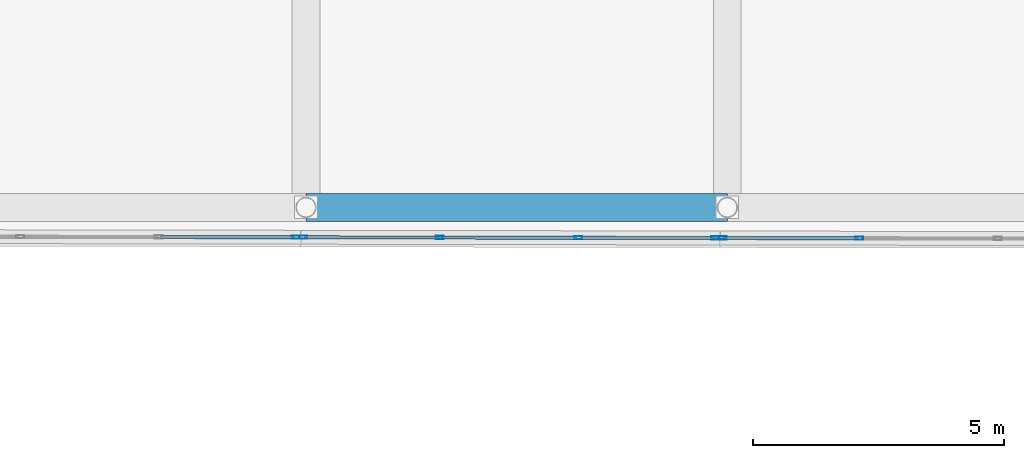
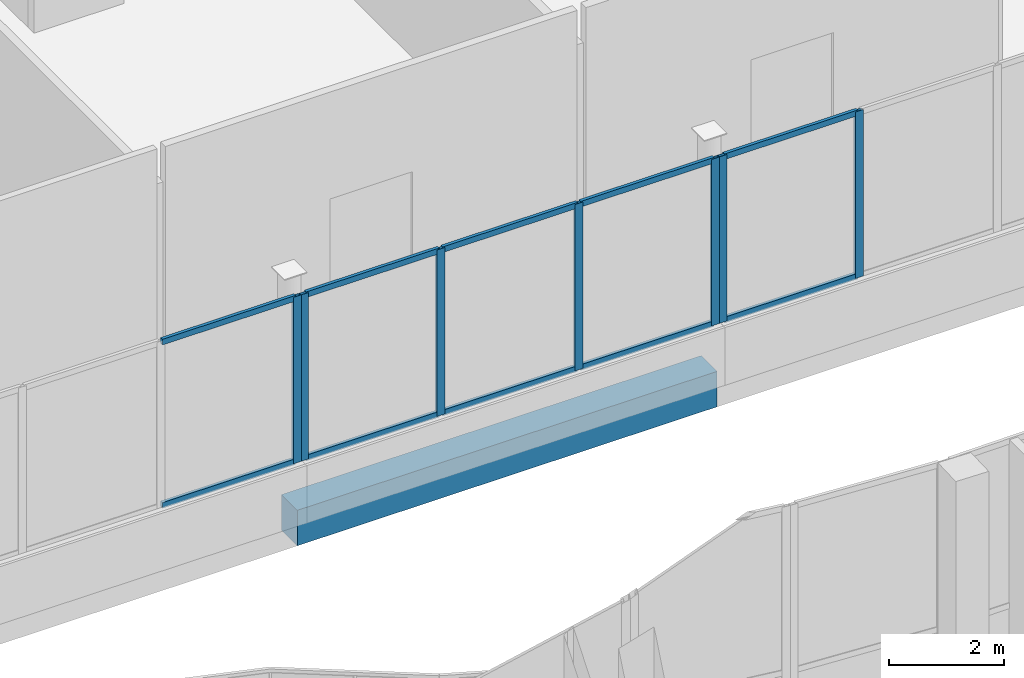
# One storey, part 33 of 155: 17 members, 1 beam, 3 elements without a shape of their own.
"""IFC4 building model written with IfcOpenShell, lengths in metres."""

from ifc_helpers import new_model, si_unit, direction, frame, origin, origin_2d, place, context, subcontext, project, spatial, rectangle, hollow_rectangle, extrude, material, material_profile, profile_set, type_object, element, aggregate, save


model = new_model("IFC4")

# Units and contexts
model_context = context("Model", 3, precision=1e-05, world=origin(), true_north=direction((0.0, 1.0)))
body_context = subcontext(model_context, "Body", "Model", "MODEL_VIEW")
ifc_project = project(units=[si_unit("LENGTHUNIT", "METRE"), si_unit("AREAUNIT", "SQUARE_METRE"), si_unit("VOLUMEUNIT", "CUBIC_METRE"), si_unit("PLANEANGLEUNIT", "RADIAN"), si_unit("MASSUNIT", "GRAM", prefix="KILO")], contexts=[model_context])

# Site, building, storey
site_placement = place(None, origin())
site = spatial("IfcSite", under=ifc_project, at=site_placement, CompositionType="ELEMENT")
building_placement = place(site_placement, origin())
building = spatial("IfcBuilding", under=site, at=building_placement, Name="Selatvlak General Hospital", CompositionType="ELEMENT")
storey_placement = place(building_placement, frame((0.0, 0.0, 10.199951171875)))
storey = spatial("IfcBuildingStorey", under=building, at=storey_placement, Name="L02", CompositionType="ELEMENT", Elevation=10.199951171875)

# Beam
ifc_material_1 = material(Name="Concrete C40/50", Category="concrete")
ifc_material_profile_1 = material_profile(ifc_material_1, rectangle(XDim=0.550048828125, YDim=0.75, at=origin_2d()), Name="RC-BM 550x750")
ifc_profile_set_1 = profile_set([ifc_material_profile_1], Name="Concrete C40/50")
beam_type = type_object("IfcBeamType", Name="BM-G02", PredefinedType="BEAM", material=ifc_profile_set_1)
beam_placement = place(storey_placement, frame((48.0, 52.550048828125, -0.72998046875), z_axis=(1.0, 0.0, 0.0), x_axis=(0.0, 1.0, 0.0)))
element("IfcBeam", 1, at=beam_placement, inside=storey, type_object=beam_type, Name="Beam BMR-L02-0770", PredefinedType="BEAM", context=body_context, shape_type="SweptSolid", body=[
    extrude(rectangle(XDim=0.550048828125, YDim=0.75, at=origin_2d()), origin(), (0.0, 0.0, 1.0), 8.39990234375),
])

# Curtain wall, members
ifc_material_2 = material(Name="Solar-control Low-E double glazing", Category="glass")
curtain_wall_type_1 = type_object("IfcCurtainWallType", Name="CW-CW-02", PredefinedType="USERDEFINED", material=ifc_material_2)
curtain_wall_1_placement = place(storey_placement, origin())
curtain_wall_1 = element("IfcCurtainWall", 2, at=curtain_wall_1_placement, inside=storey, type_object=curtain_wall_type_1, Name="Glazed facade curtain wall CW-L02-0341", ObjectType="UNITISED CURTAIN WALL", PredefinedType="USERDEFINED")
ifc_material_3 = material(Name="Dark anodised aluminium mullion", Category="aluminium")
ifc_material_profile_2 = material_profile(ifc_material_3, hollow_rectangle(XDim=0.06494140625, YDim=0.159912109375, WallThickness=0.00390625, at=origin_2d()), Name="AL-MUL 65x160x4")
ifc_profile_set_2 = profile_set([ifc_material_profile_2], Name="Dark anodised aluminium mullion")
member_type_1 = type_object("IfcMemberType", Name="CWM-01", PredefinedType="MULLION", material=ifc_profile_set_2)
member_1_placement = place(storey_placement, frame((59.03173828125, 51.93505859375, 0.93994140625), z_axis=(0.0, 0.0, 1.0), x_axis=(-0.001811153756, -0.99999835986, 0.0)))
member_1 = element("IfcMember", 3, at=member_1_placement, type_object=member_type_1, Name="CW-02 mullion 3", PredefinedType="MULLION", context=body_context, shape_type="SweptSolid", body=[
    extrude(hollow_rectangle(XDim=0.06494140625, YDim=0.159912109375, WallThickness=0.00390625, at=origin_2d()), origin(), (0.0, 0.0, 1.0), 3.52001953125),
])
member_2_placement = place(storey_placement, frame((56.303466796875, 51.93994140625, 0.93994140625), z_axis=(0.0, 0.0, 1.0), x_axis=(-0.001811153756, -0.99999835986, 0.0)))
member_2 = element("IfcMember", 4, at=member_2_placement, type_object=member_type_1, Name="CW-02 mullion 4", PredefinedType="MULLION", context=body_context, shape_type="SweptSolid", body=[
    extrude(hollow_rectangle(XDim=0.06494140625, YDim=0.159912109375, WallThickness=0.00390625, at=origin_2d()), origin(), (0.0, 0.0, 1.0), 3.52001953125),
])

curtain_wall_type_2 = type_object("IfcCurtainWallType", Name="CW-CW-01", PredefinedType="USERDEFINED", material=ifc_material_2)
curtain_wall_2_placement = place(storey_placement, origin())
curtain_wall_2 = element("IfcCurtainWall", 5, at=curtain_wall_2_placement, inside=storey, type_object=curtain_wall_type_2, Name="Glazed facade curtain wall CW-L02-0342", ObjectType="UNITISED CURTAIN WALL", PredefinedType="USERDEFINED")
member_3_placement = place(storey_placement, frame((56.158447265625, 51.93994140625, 0.93994140625), z_axis=(0.0, 0.0, 1.0), x_axis=(-0.001811372463, -0.999998359464, 0.0)))
member_3 = element("IfcMember", 6, at=member_3_placement, type_object=member_type_1, Name="CW-01 mullion 1", PredefinedType="MULLION", context=body_context, shape_type="SweptSolid", body=[
    extrude(hollow_rectangle(XDim=0.06494140625, YDim=0.159912109375, WallThickness=0.00390625, at=origin_2d()), origin(), (0.0, 0.0, 1.0), 3.52001953125),
])
member_4_placement = place(storey_placement, frame((53.4306640625, 51.945068359375, 0.93994140625), z_axis=(0.0, 0.0, 1.0), x_axis=(-0.001811372463, -0.999998359464, 0.0)))
member_4 = element("IfcMember", 7, at=member_4_placement, type_object=member_type_1, Name="CW-01 mullion 2", PredefinedType="MULLION", context=body_context, shape_type="SweptSolid", body=[
    extrude(hollow_rectangle(XDim=0.06494140625, YDim=0.159912109375, WallThickness=0.00390625, at=origin_2d()), origin(), (0.0, 0.0, 1.0), 3.52001953125),
])
member_5_placement = place(storey_placement, frame((50.67041015625, 51.949951171875, 0.93994140625), z_axis=(0.0, 0.0, 1.0), x_axis=(-0.001811372463, -0.999998359464, 0.0)))
member_5 = element("IfcMember", 8, at=member_5_placement, type_object=member_type_1, Name="CW-01 mullion 3", PredefinedType="MULLION", context=body_context, shape_type="SweptSolid", body=[
    extrude(hollow_rectangle(XDim=0.06494140625, YDim=0.159912109375, WallThickness=0.00390625, at=origin_2d()), origin(), (0.0, 0.0, 1.0), 3.52001953125),
])
member_6_placement = place(storey_placement, frame((47.9423828125, 51.954833984375, 0.93994140625), z_axis=(0.0, 0.0, 1.0), x_axis=(-0.001811372463, -0.999998359464, 0.0)))
member_6 = element("IfcMember", 9, at=member_6_placement, type_object=member_type_1, Name="CW-01 mullion 4", PredefinedType="MULLION", context=body_context, shape_type="SweptSolid", body=[
    extrude(hollow_rectangle(XDim=0.06494140625, YDim=0.159912109375, WallThickness=0.00390625, at=origin_2d()), origin(), (0.0, 0.0, 1.0), 3.52001953125),
])

# Curtain wall, member
curtain_wall_3_placement = place(storey_placement, origin())
curtain_wall_3 = element("IfcCurtainWall", 10, at=curtain_wall_3_placement, inside=storey, type_object=curtain_wall_type_1, Name="Glazed facade curtain wall CW-L02-0343", ObjectType="UNITISED CURTAIN WALL", PredefinedType="USERDEFINED")
member_7_placement = place(storey_placement, frame((47.797607421875, 51.955078125, 0.93994140625), z_axis=(0.0, 0.0, 1.0), x_axis=(-0.001811153756, -0.99999835986, 0.0)))
member_7 = element("IfcMember", 11, at=member_7_placement, type_object=member_type_1, Name="CW-02 mullion 1", PredefinedType="MULLION", context=body_context, shape_type="SweptSolid", body=[
    extrude(hollow_rectangle(XDim=0.06494140625, YDim=0.159912109375, WallThickness=0.00390625, at=origin_2d()), origin(), (0.0, 0.0, 1.0), 3.52001953125),
])

# Member
ifc_material_profile_3 = material_profile(ifc_material_3, hollow_rectangle(XDim=0.06494140625, YDim=0.1201171875, WallThickness=0.00390625, at=origin_2d()), Name="AL-TRN 65x120x4")
ifc_profile_set_3 = profile_set([ifc_material_profile_3], Name="Dark anodised aluminium mullion")
member_type_2 = type_object("IfcMemberType", Name="CWT-01", PredefinedType="USERDEFINED", material=ifc_profile_set_3)
member_8_placement = place(storey_placement, frame((58.999267578125, 51.93505859375, 0.97265625), z_axis=(-0.999998319421, 0.00183334553, 0.0), x_axis=(-0.00183334553, -0.999998319421, 0.0)))
member_8 = element("IfcMember", 12, at=member_8_placement, type_object=member_type_2, Name="CW-02 transom 3.1", ObjectType="TRANSOM", PredefinedType="USERDEFINED", context=body_context, shape_type="SweptSolid", body=[
    extrude(hollow_rectangle(XDim=0.06494140625, YDim=0.1201171875, WallThickness=0.00390625, at=origin_2d()), origin(), (0.0, 0.0, 1.0), 2.663330078125),
])

member_9_placement = place(storey_placement, frame((58.999267578125, 51.93505859375, 4.427490234375), z_axis=(-0.999998319421, 0.00183334553, 0.0), x_axis=(-0.00183334553, -0.999998319421, 0.0)))
member_9 = element("IfcMember", 13, at=member_9_placement, type_object=member_type_2, Name="CW-02 transom 3.2", ObjectType="TRANSOM", PredefinedType="USERDEFINED", context=body_context, shape_type="SweptSolid", body=[
    extrude(hollow_rectangle(XDim=0.06494140625, YDim=0.1201171875, WallThickness=0.00390625, at=origin_2d()), origin(), (0.0, 0.0, 1.0), 2.663330078125),
])

aggregate(curtain_wall_1, [member_1, member_2, member_8, member_9])

member_10_placement = place(storey_placement, frame((56.1259765625, 51.940185546875, 0.97265625), z_axis=(-0.99999848272, 0.001741997907, 0.0), x_axis=(-0.001741997907, -0.99999848272, 0.0)))
member_10 = element("IfcMember", 14, at=member_10_placement, type_object=member_type_2, Name="CW-01 transom 1.1", ObjectType="TRANSOM", PredefinedType="USERDEFINED", context=body_context, shape_type="SweptSolid", body=[
    extrude(hollow_rectangle(XDim=0.06494140625, YDim=0.1201171875, WallThickness=0.00390625, at=origin_2d()), origin(), (0.0, 0.0, 1.0), 2.662841796875),
])

member_11_placement = place(storey_placement, frame((56.1259765625, 51.940185546875, 4.427490234375), z_axis=(-0.99999848272, 0.001741997907, 0.0), x_axis=(-0.001741997907, -0.99999848272, 0.0)))
member_11 = element("IfcMember", 15, at=member_11_placement, type_object=member_type_2, Name="CW-01 transom 1.2", ObjectType="TRANSOM", PredefinedType="USERDEFINED", context=body_context, shape_type="SweptSolid", body=[
    extrude(hollow_rectangle(XDim=0.06494140625, YDim=0.1201171875, WallThickness=0.00390625, at=origin_2d()), origin(), (0.0, 0.0, 1.0), 2.662841796875),
])

member_12_placement = place(storey_placement, frame((53.398193359375, 51.945068359375, 0.97265625), z_axis=(-0.999998359067, 0.00181159123, 0.0), x_axis=(-0.00181159123, -0.999998359067, 0.0)))
member_12 = element("IfcMember", 16, at=member_12_placement, type_object=member_type_2, Name="CW-01 transom 2.1", ObjectType="TRANSOM", PredefinedType="USERDEFINED", context=body_context, shape_type="SweptSolid", body=[
    extrude(hollow_rectangle(XDim=0.06494140625, YDim=0.1201171875, WallThickness=0.00390625, at=origin_2d()), origin(), (0.0, 0.0, 1.0), 2.6953125),
])

member_13_placement = place(storey_placement, frame((53.398193359375, 51.945068359375, 4.427490234375), z_axis=(-0.999998359067, 0.00181159123, 0.0), x_axis=(-0.00181159123, -0.999998359067, 0.0)))
member_13 = element("IfcMember", 17, at=member_13_placement, type_object=member_type_2, Name="CW-01 transom 2.2", ObjectType="TRANSOM", PredefinedType="USERDEFINED", context=body_context, shape_type="SweptSolid", body=[
    extrude(hollow_rectangle(XDim=0.06494140625, YDim=0.1201171875, WallThickness=0.00390625, at=origin_2d()), origin(), (0.0, 0.0, 1.0), 2.6953125),
])

member_14_placement = place(storey_placement, frame((50.637939453125, 51.949951171875, 0.97265625), z_axis=(-0.999998318804, 0.001833681707, 0.0), x_axis=(-0.001833681707, -0.999998318804, 0.0)))
member_14 = element("IfcMember", 18, at=member_14_placement, type_object=member_type_2, Name="CW-01 transom 3.1", ObjectType="TRANSOM", PredefinedType="USERDEFINED", context=body_context, shape_type="SweptSolid", body=[
    extrude(hollow_rectangle(XDim=0.06494140625, YDim=0.1201171875, WallThickness=0.00390625, at=origin_2d()), origin(), (0.0, 0.0, 1.0), 2.662841796875),
])

member_15_placement = place(storey_placement, frame((50.637939453125, 51.949951171875, 4.427490234375), z_axis=(-0.999998318804, 0.001833681707, 0.0), x_axis=(-0.001833681707, -0.999998318804, 0.0)))
member_15 = element("IfcMember", 19, at=member_15_placement, type_object=member_type_2, Name="CW-01 transom 3.2", ObjectType="TRANSOM", PredefinedType="USERDEFINED", context=body_context, shape_type="SweptSolid", body=[
    extrude(hollow_rectangle(XDim=0.06494140625, YDim=0.1201171875, WallThickness=0.00390625, at=origin_2d()), origin(), (0.0, 0.0, 1.0), 2.662841796875),
])

aggregate(curtain_wall_2, [member_3, member_4, member_5, member_6, member_10, member_11, member_12, member_13, member_14, member_15])

member_16_placement = place(storey_placement, frame((47.764892578125, 51.955078125, 0.97265625), z_axis=(-0.999998319113, 0.001833513603, 0.0), x_axis=(-0.001833513603, -0.999998319113, 0.0)))
member_16 = element("IfcMember", 20, at=member_16_placement, type_object=member_type_2, Name="CW-02 transom 1.1", ObjectType="TRANSOM", PredefinedType="USERDEFINED", context=body_context, shape_type="SweptSolid", body=[
    extrude(hollow_rectangle(XDim=0.06494140625, YDim=0.1201171875, WallThickness=0.00390625, at=origin_2d()), origin(), (0.0, 0.0, 1.0), 2.6630859375),
])

member_17_placement = place(storey_placement, frame((47.764892578125, 51.955078125, 4.427490234375), z_axis=(-0.999998319113, 0.001833513603, 0.0), x_axis=(-0.001833513603, -0.999998319113, 0.0)))
member_17 = element("IfcMember", 21, at=member_17_placement, type_object=member_type_2, Name="CW-02 transom 1.2", ObjectType="TRANSOM", PredefinedType="USERDEFINED", context=body_context, shape_type="SweptSolid", body=[
    extrude(hollow_rectangle(XDim=0.06494140625, YDim=0.1201171875, WallThickness=0.00390625, at=origin_2d()), origin(), (0.0, 0.0, 1.0), 2.6630859375),
])

aggregate(curtain_wall_3, [member_7, member_16, member_17])

save(model, "model.ifc")
